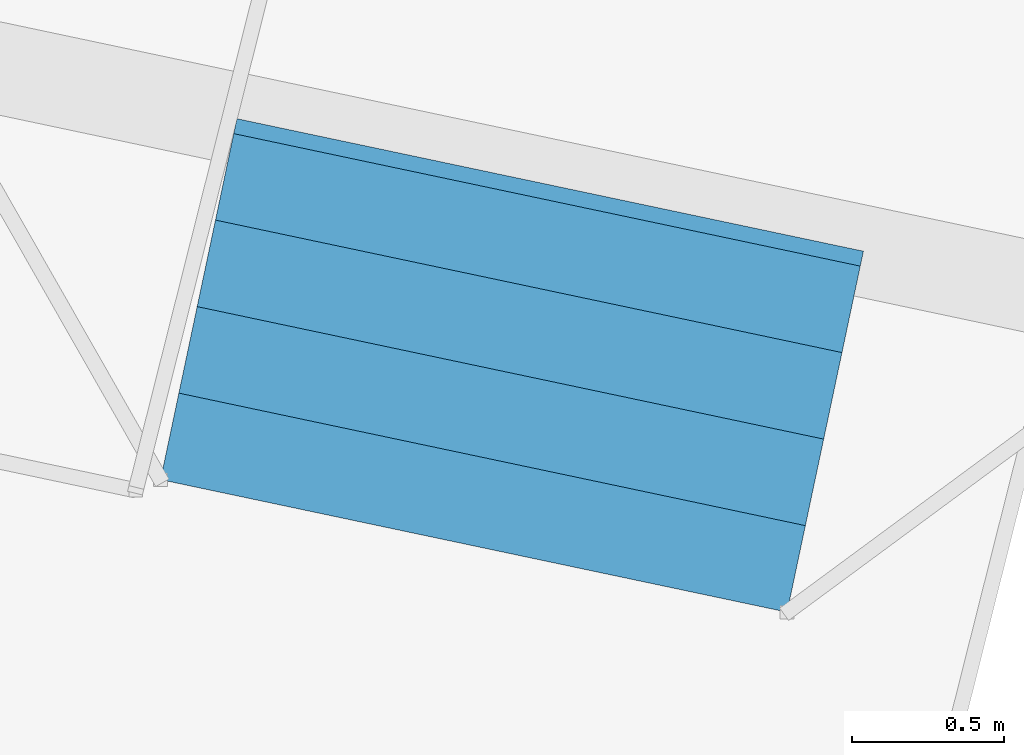
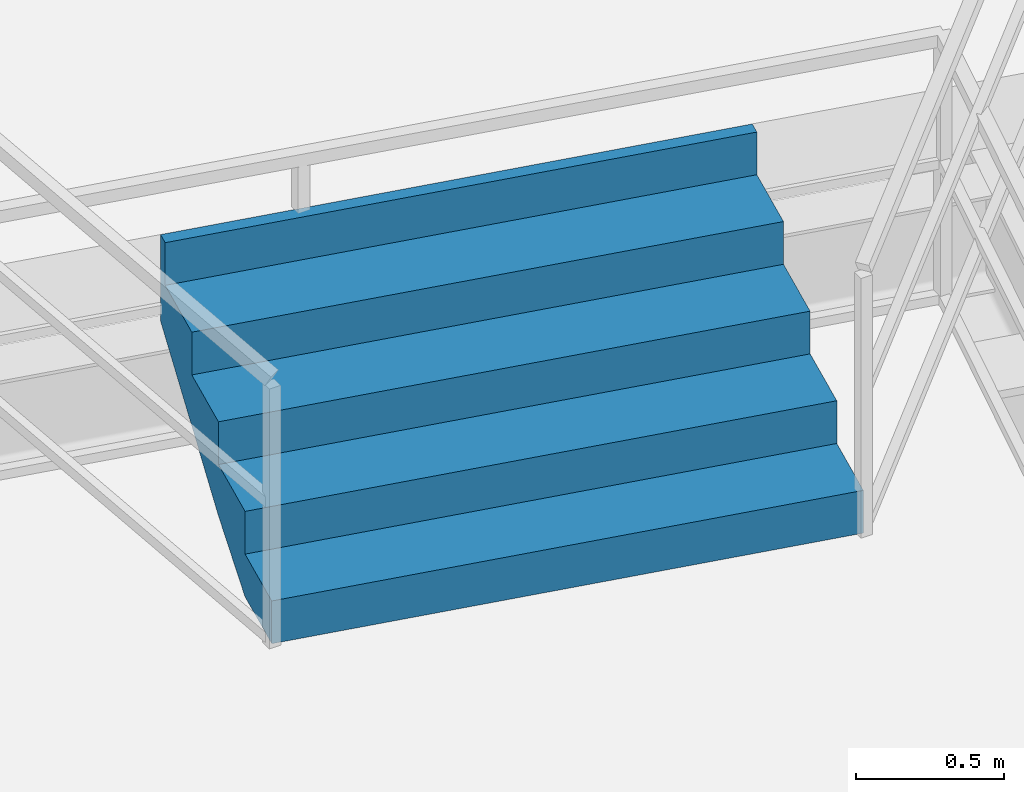
# One storey, part 148 of 186: 1 stair flight, 1 element without a shape of its own.
"""IFC4 building model written with IfcOpenShell, lengths in metres."""

from ifc_helpers import new_model, si_unit, direction, frame, origin, place, context, subcontext, project, spatial, polygons, material, type_object, element, aggregate, save


model = new_model("IFC4")

# Units and contexts
model_context = context("Model", 3, precision=1e-05, world=origin(), true_north=direction((0.0, 1.0)))
body_context = subcontext(model_context, "Body", "Model", "MODEL_VIEW")
ifc_project = project(units=[si_unit("LENGTHUNIT", "METRE"), si_unit("AREAUNIT", "SQUARE_METRE"), si_unit("VOLUMEUNIT", "CUBIC_METRE"), si_unit("PLANEANGLEUNIT", "RADIAN"), si_unit("MASSUNIT", "GRAM", prefix="KILO")], contexts=[model_context])

# Site, building, storey
site_placement = place(None, origin())
site = spatial("IfcSite", under=ifc_project, at=site_placement, CompositionType="ELEMENT")
building_placement = place(site_placement, origin())
building = spatial("IfcBuilding", under=site, at=building_placement, Name="Kazemori Nagisa Stadium", CompositionType="ELEMENT")
storey_placement = place(building_placement, frame((0.0, 0.0, 20.39990234375)))
storey = spatial("IfcBuildingStorey", under=building, at=storey_placement, Name="L04", CompositionType="ELEMENT", Elevation=20.39990234375)

# Stair, stair flight
ifc_material = material(Name="Concrete C36/45 (Fc36)", Category="concrete")
stair_type = type_object("IfcStairType", Name="Stair_VOM_VU", PredefinedType="STRAIGHT_RUN_STAIR", material=ifc_material)
stair_placement = place(storey_placement, origin())
stair = element("IfcStair", 1, at=stair_placement, inside=storey, type_object=stair_type, Name="Vomitory stair upper VU09", PredefinedType="STRAIGHT_RUN_STAIR")
stair_flight_type = type_object("IfcStairFlightType", Name="Flight_VOM_VU", PredefinedType="STRAIGHT", material=ifc_material)
stair_flight_placement = place(storey_placement, frame((103.6533203125, 34.5830078125, 0.0), z_axis=(0.0, 0.0, 1.0), x_axis=(0.20691209664, 0.978359537319, 0.0)))
stair_flight = element("IfcStairFlight", 2, at=stair_flight_placement, type_object=stair_flight_type, Name="Vomitory stair upper VU09 flight", NumberOfRisers=5, NumberOfTreads=4, PredefinedType="STRAIGHT", RiserHeight=0.176, TreadLength=0.29, context=body_context, shape_type="Tessellation", body=[
    polygons([(0.0, -1.050048828125, 0.0), (0.0, -1.050048828125, 0.176025390625), (0.2900390625, -1.050048828125, 0.176025390625), (0.2900390625, -1.050048828125, 0.35205078125), (0.580078125, -1.050048828125, 0.35205078125), (0.580078125, -1.050048828125, 0.528076171875), (0.8701171875, -1.050048828125, 0.528076171875), (0.8701171875, -1.050048828125, 0.7041015625), (1.159912109375, -1.050048828125, 0.7041015625), (1.159912109375, -1.050048828125, 0.8798828125), (1.2099609375, -1.050048828125, 0.8798828125), (1.2099609375, -1.050048828125, 0.52392578125), (1.159912109375, -1.050048828125, 0.493408203125), (0.8701171875, -1.050048828125, 0.317626953125), (0.580078125, -1.050048828125, 0.1416015625), (0.2900390625, -1.050048828125, 0.0), (0.0, -0.083984375, 0.0), (0.0, -0.083984375, 0.176025390625), (0.2900390625, -0.083984375, 0.176025390625), (0.2900390625, -0.083984375, 0.35205078125), (0.580078125, -0.083984375, 0.35205078125), (0.580078125, -0.083984375, 0.528076171875), (0.8701171875, -0.083984375, 0.528076171875), (0.8701171875, -0.083984375, 0.7041015625), (1.159912109375, -0.083984375, 0.7041015625), (1.159912109375, -0.083984375, 0.8798828125), (1.2099609375, -0.083984375, 0.8798828125), (1.2099609375, -0.083984375, 0.52392578125), (1.159912109375, -0.083984375, 0.493408203125), (0.8701171875, -0.083984375, 0.317626953125), (0.580078125, -0.083984375, 0.1416015625), (0.2900390625, -0.083984375, 0.0), (0.0, -0.06298828125, 0.0), (0.0, -0.06298828125, 0.176025390625), (0.2900390625, -0.06298828125, 0.176025390625), (0.2900390625, -0.06298828125, 0.35205078125), (0.580078125, -0.06298828125, 0.35205078125), (0.580078125, -0.06298828125, 0.528076171875), (0.8701171875, -0.06298828125, 0.528076171875), (0.8701171875, -0.06298828125, 0.7041015625), (1.159912109375, -0.06298828125, 0.7041015625), (1.159912109375, -0.06298828125, 0.8798828125), (1.2099609375, -0.06298828125, 0.8798828125), (1.2099609375, -0.06298828125, 0.52392578125), (1.159912109375, -0.06298828125, 0.493408203125), (0.8701171875, -0.06298828125, 0.317626953125), (0.580078125, -0.06298828125, 0.1416015625), (0.2900390625, -0.06298828125, 0.0), (0.0, -0.0419921875, 0.0), (0.0, -0.0419921875, 0.176025390625), (0.2900390625, -0.0419921875, 0.176025390625), (0.2900390625, -0.0419921875, 0.35205078125), (0.580078125, -0.0419921875, 0.35205078125), (0.580078125, -0.0419921875, 0.528076171875), (0.8701171875, -0.0419921875, 0.528076171875), (0.8701171875, -0.0419921875, 0.7041015625), (1.159912109375, -0.0419921875, 0.7041015625), (1.159912109375, -0.0419921875, 0.8798828125), (1.2099609375, -0.0419921875, 0.8798828125), (1.2099609375, -0.0419921875, 0.52392578125), (1.159912109375, -0.0419921875, 0.493408203125), (0.8701171875, -0.0419921875, 0.317626953125), (0.580078125, -0.0419921875, 0.1416015625), (0.2900390625, -0.0419921875, 0.0), (0.0, -0.02099609375, 0.0), (0.0, -0.02099609375, 0.176025390625), (0.2900390625, -0.02099609375, 0.176025390625), (0.2900390625, -0.02099609375, 0.35205078125), (0.580078125, -0.02099609375, 0.35205078125), (0.580078125, -0.02099609375, 0.528076171875), (0.8701171875, -0.02099609375, 0.528076171875), (0.8701171875, -0.02099609375, 0.7041015625), (1.159912109375, -0.02099609375, 0.7041015625), (1.159912109375, -0.02099609375, 0.8798828125), (1.2099609375, -0.02099609375, 0.8798828125), (1.2099609375, -0.02099609375, 0.52392578125), (1.159912109375, -0.02099609375, 0.493408203125), (0.8701171875, -0.02099609375, 0.317626953125), (0.580078125, -0.02099609375, 0.1416015625), (0.2900390625, -0.02099609375, 0.0), (0.0, 0.0, 0.0), (0.0, 0.0, 0.176025390625), (0.2900390625, 0.0, 0.176025390625), (0.2900390625, 0.0, 0.35205078125), (0.580078125, 0.0, 0.35205078125), (0.580078125, 0.0, 0.528076171875), (0.8701171875, 0.0, 0.528076171875), (0.8701171875, 0.0, 0.7041015625), (1.159912109375, 0.0, 0.7041015625), (1.159912109375, 0.0, 0.8798828125), (1.2099609375, 0.0, 0.8798828125), (1.2099609375, 0.0, 0.52392578125), (1.159912109375, 0.0, 0.493408203125), (0.8701171875, 0.0, 0.317626953125), (0.580078125, 0.0, 0.1416015625), (0.2900390625, 0.0, 0.0), (0.0, 0.02099609375, 0.0), (0.0, 0.02099609375, 0.176025390625), (0.2900390625, 0.02099609375, 0.176025390625), (0.2900390625, 0.02099609375, 0.35205078125), (0.580078125, 0.02099609375, 0.35205078125), (0.580078125, 0.02099609375, 0.528076171875), (0.8701171875, 0.02099609375, 0.528076171875), (0.8701171875, 0.02099609375, 0.7041015625), (1.159912109375, 0.02099609375, 0.7041015625), (1.159912109375, 0.02099609375, 0.8798828125), (1.2099609375, 0.02099609375, 0.8798828125), (1.2099609375, 0.02099609375, 0.52392578125), (1.159912109375, 0.02099609375, 0.493408203125), (0.8701171875, 0.02099609375, 0.317626953125), (0.580078125, 0.02099609375, 0.1416015625), (0.2900390625, 0.02099609375, 0.0), (0.0, 0.0419921875, 0.0), (0.0, 0.0419921875, 0.176025390625), (0.2900390625, 0.0419921875, 0.176025390625), (0.2900390625, 0.0419921875, 0.35205078125), (0.580078125, 0.0419921875, 0.35205078125), (0.580078125, 0.0419921875, 0.528076171875), (0.8701171875, 0.0419921875, 0.528076171875), (0.8701171875, 0.0419921875, 0.7041015625), (1.159912109375, 0.0419921875, 0.7041015625), (1.159912109375, 0.0419921875, 0.8798828125), (1.2099609375, 0.0419921875, 0.8798828125), (1.2099609375, 0.0419921875, 0.52392578125), (1.159912109375, 0.0419921875, 0.493408203125), (0.8701171875, 0.0419921875, 0.317626953125), (0.580078125, 0.0419921875, 0.1416015625), (0.2900390625, 0.0419921875, 0.0), (0.0, 0.06298828125, 0.0), (0.0, 0.06298828125, 0.176025390625), (0.2900390625, 0.06298828125, 0.176025390625), (0.2900390625, 0.06298828125, 0.35205078125), (0.580078125, 0.06298828125, 0.35205078125), (0.580078125, 0.06298828125, 0.528076171875), (0.8701171875, 0.06298828125, 0.528076171875), (0.8701171875, 0.06298828125, 0.7041015625), (1.159912109375, 0.06298828125, 0.7041015625), (1.159912109375, 0.06298828125, 0.8798828125), (1.2099609375, 0.06298828125, 0.8798828125), (1.2099609375, 0.06298828125, 0.52392578125), (1.159912109375, 0.06298828125, 0.493408203125), (0.8701171875, 0.06298828125, 0.317626953125), (0.580078125, 0.06298828125, 0.1416015625), (0.2900390625, 0.06298828125, 0.0), (0.0, 0.083984375, 0.0), (0.0, 0.083984375, 0.176025390625), (0.2900390625, 0.083984375, 0.176025390625), (0.2900390625, 0.083984375, 0.35205078125), (0.580078125, 0.083984375, 0.35205078125), (0.580078125, 0.083984375, 0.528076171875), (0.8701171875, 0.083984375, 0.528076171875), (0.8701171875, 0.083984375, 0.7041015625), (1.159912109375, 0.083984375, 0.7041015625), (1.159912109375, 0.083984375, 0.8798828125), (1.2099609375, 0.083984375, 0.8798828125), (1.2099609375, 0.083984375, 0.52392578125), (1.159912109375, 0.083984375, 0.493408203125), (0.8701171875, 0.083984375, 0.317626953125), (0.580078125, 0.083984375, 0.1416015625), (0.2900390625, 0.083984375, 0.0), (0.0, 1.050048828125, 0.0), (0.0, 1.050048828125, 0.176025390625), (0.2900390625, 1.050048828125, 0.176025390625), (0.2900390625, 1.050048828125, 0.35205078125), (0.580078125, 1.050048828125, 0.35205078125), (0.580078125, 1.050048828125, 0.528076171875), (0.8701171875, 1.050048828125, 0.528076171875), (0.8701171875, 1.050048828125, 0.7041015625), (1.159912109375, 1.050048828125, 0.7041015625), (1.159912109375, 1.050048828125, 0.8798828125), (1.2099609375, 1.050048828125, 0.8798828125), (1.2099609375, 1.050048828125, 0.52392578125), (1.159912109375, 1.050048828125, 0.493408203125), (0.8701171875, 1.050048828125, 0.317626953125), (0.580078125, 1.050048828125, 0.1416015625), (0.2900390625, 1.050048828125, 0.0)], [[[1, 2, 18]], [[1, 18, 17]], [[2, 3, 19]], [[2, 19, 18]], [[3, 4, 20]], [[3, 20, 19]], [[4, 5, 21]], [[4, 21, 20]], [[5, 6, 22]], [[5, 22, 21]], [[6, 7, 23]], [[6, 23, 22]], [[7, 8, 24]], [[7, 24, 23]], [[8, 9, 25]], [[8, 25, 24]], [[9, 10, 26]], [[9, 26, 25]], [[10, 11, 27]], [[10, 27, 26]], [[11, 12, 28]], [[11, 28, 27]], [[12, 13, 29]], [[12, 29, 28]], [[13, 14, 30]], [[13, 30, 29]], [[14, 15, 31]], [[14, 31, 30]], [[15, 16, 32]], [[15, 32, 31]], [[16, 1, 17]], [[16, 17, 32]], [[17, 18, 34]], [[17, 34, 33]], [[18, 19, 35]], [[18, 35, 34]], [[19, 20, 36]], [[19, 36, 35]], [[20, 21, 37]], [[20, 37, 36]], [[21, 22, 38]], [[21, 38, 37]], [[22, 23, 39]], [[22, 39, 38]], [[23, 24, 40]], [[23, 40, 39]], [[24, 25, 41]], [[24, 41, 40]], [[25, 26, 42]], [[25, 42, 41]], [[26, 27, 43]], [[26, 43, 42]], [[27, 28, 44]], [[27, 44, 43]], [[28, 29, 45]], [[28, 45, 44]], [[29, 30, 46]], [[29, 46, 45]], [[30, 31, 47]], [[30, 47, 46]], [[31, 32, 48]], [[31, 48, 47]], [[32, 17, 33]], [[32, 33, 48]], [[33, 34, 50]], [[33, 50, 49]], [[34, 35, 51]], [[34, 51, 50]], [[35, 36, 52]], [[35, 52, 51]], [[36, 37, 53]], [[36, 53, 52]], [[37, 38, 54]], [[37, 54, 53]], [[38, 39, 55]], [[38, 55, 54]], [[39, 40, 56]], [[39, 56, 55]], [[40, 41, 57]], [[40, 57, 56]], [[41, 42, 58]], [[41, 58, 57]], [[42, 43, 59]], [[42, 59, 58]], [[43, 44, 60]], [[43, 60, 59]], [[44, 45, 61]], [[44, 61, 60]], [[45, 46, 62]], [[45, 62, 61]], [[46, 47, 63]], [[46, 63, 62]], [[47, 48, 64]], [[47, 64, 63]], [[48, 33, 49]], [[48, 49, 64]], [[49, 50, 66]], [[49, 66, 65]], [[50, 51, 67]], [[50, 67, 66]], [[51, 52, 68]], [[51, 68, 67]], [[52, 53, 69]], [[52, 69, 68]], [[53, 54, 70]], [[53, 70, 69]], [[54, 55, 71]], [[54, 71, 70]], [[55, 56, 72]], [[55, 72, 71]], [[56, 57, 73]], [[56, 73, 72]], [[57, 58, 74]], [[57, 74, 73]], [[58, 59, 75]], [[58, 75, 74]], [[59, 60, 76]], [[59, 76, 75]], [[60, 61, 77]], [[60, 77, 76]], [[61, 62, 78]], [[61, 78, 77]], [[62, 63, 79]], [[62, 79, 78]], [[63, 64, 80]], [[63, 80, 79]], [[64, 49, 65]], [[64, 65, 80]], [[65, 66, 82]], [[65, 82, 81]], [[66, 67, 83]], [[66, 83, 82]], [[67, 68, 84]], [[67, 84, 83]], [[68, 69, 85]], [[68, 85, 84]], [[69, 70, 86]], [[69, 86, 85]], [[70, 71, 87]], [[70, 87, 86]], [[71, 72, 88]], [[71, 88, 87]], [[72, 73, 89]], [[72, 89, 88]], [[73, 74, 90]], [[73, 90, 89]], [[74, 75, 91]], [[74, 91, 90]], [[75, 76, 92]], [[75, 92, 91]], [[76, 77, 93]], [[76, 93, 92]], [[77, 78, 94]], [[77, 94, 93]], [[78, 79, 95]], [[78, 95, 94]], [[79, 80, 96]], [[79, 96, 95]], [[80, 65, 81]], [[80, 81, 96]], [[81, 82, 98]], [[81, 98, 97]], [[82, 83, 99]], [[82, 99, 98]], [[83, 84, 100]], [[83, 100, 99]], [[84, 85, 101]], [[84, 101, 100]], [[85, 86, 102]], [[85, 102, 101]], [[86, 87, 103]], [[86, 103, 102]], [[87, 88, 104]], [[87, 104, 103]], [[88, 89, 105]], [[88, 105, 104]], [[89, 90, 106]], [[89, 106, 105]], [[90, 91, 107]], [[90, 107, 106]], [[91, 92, 108]], [[91, 108, 107]], [[92, 93, 109]], [[92, 109, 108]], [[93, 94, 110]], [[93, 110, 109]], [[94, 95, 111]], [[94, 111, 110]], [[95, 96, 112]], [[95, 112, 111]], [[96, 81, 97]], [[96, 97, 112]], [[97, 98, 114]], [[97, 114, 113]], [[98, 99, 115]], [[98, 115, 114]], [[99, 100, 116]], [[99, 116, 115]], [[100, 101, 117]], [[100, 117, 116]], [[101, 102, 118]], [[101, 118, 117]], [[102, 103, 119]], [[102, 119, 118]], [[103, 104, 120]], [[103, 120, 119]], [[104, 105, 121]], [[104, 121, 120]], [[105, 106, 122]], [[105, 122, 121]], [[106, 107, 123]], [[106, 123, 122]], [[107, 108, 124]], [[107, 124, 123]], [[108, 109, 125]], [[108, 125, 124]], [[109, 110, 126]], [[109, 126, 125]], [[110, 111, 127]], [[110, 127, 126]], [[111, 112, 128]], [[111, 128, 127]], [[112, 97, 113]], [[112, 113, 128]], [[113, 114, 130]], [[113, 130, 129]], [[114, 115, 131]], [[114, 131, 130]], [[115, 116, 132]], [[115, 132, 131]], [[116, 117, 133]], [[116, 133, 132]], [[117, 118, 134]], [[117, 134, 133]], [[118, 119, 135]], [[118, 135, 134]], [[119, 120, 136]], [[119, 136, 135]], [[120, 121, 137]], [[120, 137, 136]], [[121, 122, 138]], [[121, 138, 137]], [[122, 123, 139]], [[122, 139, 138]], [[123, 124, 140]], [[123, 140, 139]], [[124, 125, 141]], [[124, 141, 140]], [[125, 126, 142]], [[125, 142, 141]], [[126, 127, 143]], [[126, 143, 142]], [[127, 128, 144]], [[127, 144, 143]], [[128, 113, 129]], [[128, 129, 144]], [[129, 130, 146]], [[129, 146, 145]], [[130, 131, 147]], [[130, 147, 146]], [[131, 132, 148]], [[131, 148, 147]], [[132, 133, 149]], [[132, 149, 148]], [[133, 134, 150]], [[133, 150, 149]], [[134, 135, 151]], [[134, 151, 150]], [[135, 136, 152]], [[135, 152, 151]], [[136, 137, 153]], [[136, 153, 152]], [[137, 138, 154]], [[137, 154, 153]], [[138, 139, 155]], [[138, 155, 154]], [[139, 140, 156]], [[139, 156, 155]], [[140, 141, 157]], [[140, 157, 156]], [[141, 142, 158]], [[141, 158, 157]], [[142, 143, 159]], [[142, 159, 158]], [[143, 144, 160]], [[143, 160, 159]], [[144, 129, 145]], [[144, 145, 160]], [[145, 146, 162]], [[145, 162, 161]], [[146, 147, 163]], [[146, 163, 162]], [[147, 148, 164]], [[147, 164, 163]], [[148, 149, 165]], [[148, 165, 164]], [[149, 150, 166]], [[149, 166, 165]], [[150, 151, 167]], [[150, 167, 166]], [[151, 152, 168]], [[151, 168, 167]], [[152, 153, 169]], [[152, 169, 168]], [[153, 154, 170]], [[153, 170, 169]], [[154, 155, 171]], [[154, 171, 170]], [[155, 156, 172]], [[155, 172, 171]], [[156, 157, 173]], [[156, 173, 172]], [[157, 158, 174]], [[157, 174, 173]], [[158, 159, 175]], [[158, 175, 174]], [[159, 160, 176]], [[159, 176, 175]], [[160, 145, 161]], [[160, 161, 176]], [[3, 2, 1]], [[161, 162, 163]], [[16, 3, 1]], [[161, 163, 176]], [[15, 3, 16]], [[176, 163, 175]], [[5, 3, 15]], [[175, 163, 165]], [[5, 4, 3]], [[163, 164, 165]], [[14, 5, 15]], [[175, 165, 174]], [[7, 5, 14]], [[174, 165, 167]], [[7, 6, 5]], [[165, 166, 167]], [[13, 7, 14]], [[174, 167, 173]], [[9, 7, 13]], [[173, 167, 169]], [[9, 8, 7]], [[167, 168, 169]], [[12, 9, 13]], [[173, 169, 172]], [[11, 9, 12]], [[172, 169, 171]], [[11, 10, 9]], [[169, 170, 171]]], closed=True),
])
aggregate(stair, [stair_flight])

save(model, "model.ifc")
